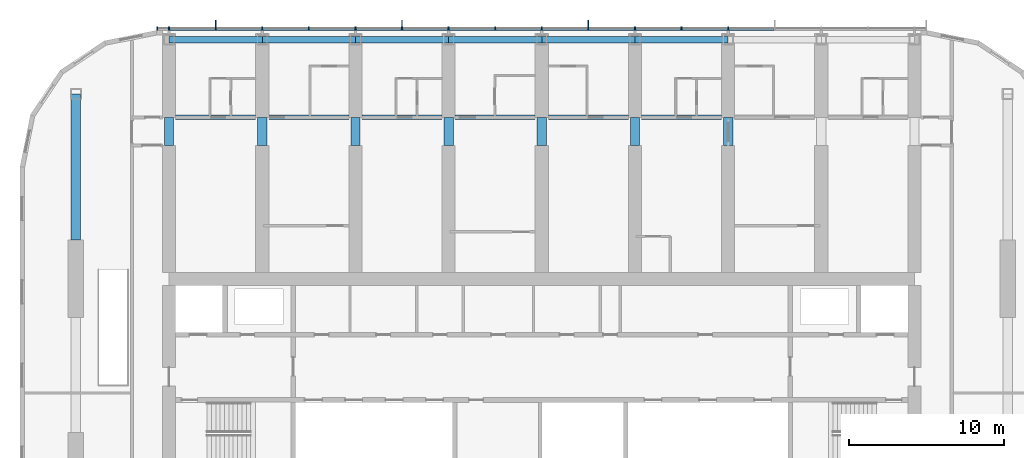
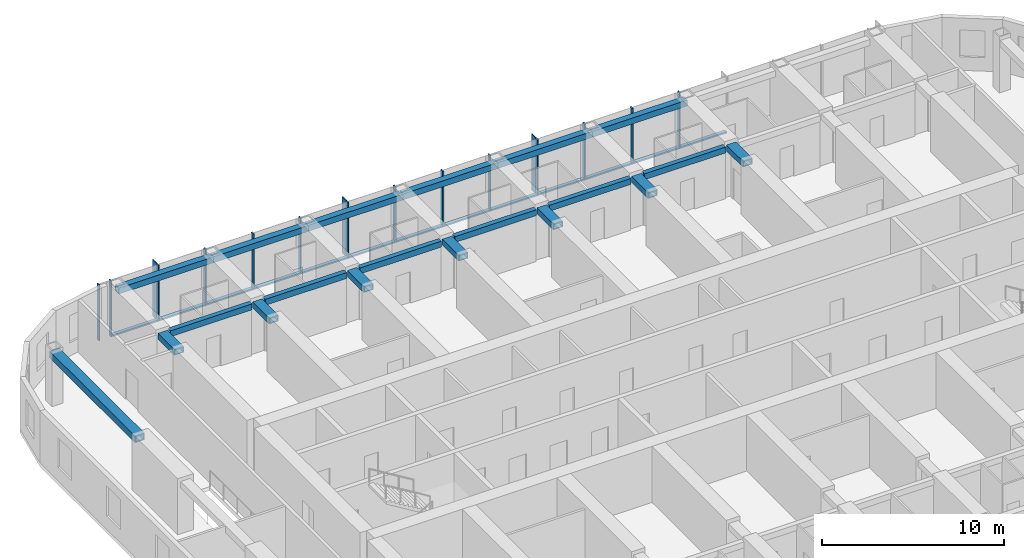
# One storey, part 4 of 22: 30 members, 20 beams, 1 element without a shape of its own.
"""IFC4 building model written with IfcOpenShell, lengths in metres."""

from ifc_helpers import new_model, si_unit, direction, frame, origin, origin_2d, place, context, subcontext, project, spatial, rectangle, hollow_rectangle, extrude, material, material_profile, profile_set, type_object, element, aggregate, save


model = new_model("IFC4")

# Units and contexts
model_context = context("Model", 3, precision=1e-05, world=origin(), true_north=direction((0.0, 1.0)))
body_context = subcontext(model_context, "Body", "Model", "MODEL_VIEW")
ifc_project = project(units=[si_unit("LENGTHUNIT", "METRE"), si_unit("AREAUNIT", "SQUARE_METRE"), si_unit("VOLUMEUNIT", "CUBIC_METRE"), si_unit("PLANEANGLEUNIT", "RADIAN"), si_unit("MASSUNIT", "GRAM", prefix="KILO")], contexts=[model_context])

# Site, building, storey
site_placement = place(None, origin())
site = spatial("IfcSite", under=ifc_project, at=site_placement, CompositionType="ELEMENT")
building_placement = place(site_placement, origin())
building = spatial("IfcBuilding", under=site, at=building_placement, Name="Orbita Commons", CompositionType="ELEMENT")
storey_placement = place(building_placement, frame((0.0, 0.0, 182.35009765625)))
storey = spatial("IfcBuildingStorey", under=building, at=storey_placement, Name="L45", CompositionType="ELEMENT", Elevation=182.35009765625)

# Curtain wall, members
ifc_material_1 = material(Name="Anodised aluminium frame, pale silver", Category="aluminium")
curtain_wall_type = type_object("IfcCurtainWallType", Name="Unitised curtain wall CW-U, full-height vision", PredefinedType="NOTDEFINED", material=ifc_material_1)
curtain_wall_placement = place(storey_placement, origin())
curtain_wall = element("IfcCurtainWall", 1, at=curtain_wall_placement, inside=storey, type_object=curtain_wall_type, Name="Curtain wall north L45", PredefinedType="NOTDEFINED")
ifc_material_2 = material(Name="Anodised aluminium, pale silver", Category="aluminium")
ifc_material_profile_1 = material_profile(ifc_material_2, rectangle(XDim=0.080078125, YDim=0.219970703125, at=origin_2d()), Name="AL 80x220")
ifc_profile_set_1 = profile_set([ifc_material_profile_1], Name="Anodised aluminium, pale silver")
member_type_1 = type_object("IfcMemberType", Name="Curtain wall mullion 80x220", PredefinedType="MULLION", material=ifc_profile_set_1)
member_1_placement = place(storey_placement, frame((54.0, 54.31005859375, -0.25), z_axis=(0.0, 0.0, 1.0), x_axis=(-1.0, 0.0, 0.0)))
member_1 = element("IfcMember", 2, at=member_1_placement, type_object=member_type_1, Name="Mullion 6 CW-L45-N", PredefinedType="MULLION", context=body_context, shape_type="SweptSolid", body=[
    extrude(rectangle(XDim=0.080078125, YDim=0.219970703125, at=origin_2d()), origin(), (0.0, 0.0, 1.0), 3.75),
])
member_2_placement = place(storey_placement, frame((51.0, 54.31005859375, -0.25), z_axis=(0.0, 0.0, 1.0), x_axis=(-1.0, 0.0, 0.0)))
member_2 = element("IfcMember", 3, at=member_2_placement, type_object=member_type_1, Name="Mullion 7 CW-L45-N", PredefinedType="MULLION", context=body_context, shape_type="SweptSolid", body=[
    extrude(rectangle(XDim=0.080078125, YDim=0.219970703125, at=origin_2d()), origin(), (0.0, 0.0, 1.0), 3.75),
])
member_3_placement = place(storey_placement, frame((48.0, 54.31005859375, -0.25), z_axis=(0.0, 0.0, 1.0), x_axis=(-1.0, 0.0, 0.0)))
member_3 = element("IfcMember", 4, at=member_3_placement, type_object=member_type_1, Name="Mullion 8 CW-L45-N", PredefinedType="MULLION", context=body_context, shape_type="SweptSolid", body=[
    extrude(rectangle(XDim=0.080078125, YDim=0.219970703125, at=origin_2d()), origin(), (0.0, 0.0, 1.0), 3.75),
])
member_4_placement = place(storey_placement, frame((45.0, 54.31005859375, -0.25), z_axis=(0.0, 0.0, 1.0), x_axis=(-1.0, 0.0, 0.0)))
member_4 = element("IfcMember", 5, at=member_4_placement, type_object=member_type_1, Name="Mullion 9 CW-L45-N", PredefinedType="MULLION", context=body_context, shape_type="SweptSolid", body=[
    extrude(rectangle(XDim=0.080078125, YDim=0.219970703125, at=origin_2d()), origin(), (0.0, 0.0, 1.0), 3.75),
])
member_5_placement = place(storey_placement, frame((42.0, 54.31005859375, -0.25), z_axis=(0.0, 0.0, 1.0), x_axis=(-1.0, 0.0, 0.0)))
member_5 = element("IfcMember", 6, at=member_5_placement, type_object=member_type_1, Name="Mullion 10 CW-L45-N", PredefinedType="MULLION", context=body_context, shape_type="SweptSolid", body=[
    extrude(rectangle(XDim=0.080078125, YDim=0.219970703125, at=origin_2d()), origin(), (0.0, 0.0, 1.0), 3.75),
])
member_6_placement = place(storey_placement, frame((39.0, 54.31005859375, -0.25), z_axis=(0.0, 0.0, 1.0), x_axis=(-1.0, 0.0, 0.0)))
member_6 = element("IfcMember", 7, at=member_6_placement, type_object=member_type_1, Name="Mullion 11 CW-L45-N", PredefinedType="MULLION", context=body_context, shape_type="SweptSolid", body=[
    extrude(rectangle(XDim=0.080078125, YDim=0.219970703125, at=origin_2d()), origin(), (0.0, 0.0, 1.0), 3.75),
])
member_7_placement = place(storey_placement, frame((36.0, 54.31005859375, -0.25), z_axis=(0.0, 0.0, 1.0), x_axis=(-1.0, 0.0, 0.0)))
member_7 = element("IfcMember", 8, at=member_7_placement, type_object=member_type_1, Name="Mullion 12 CW-L45-N", PredefinedType="MULLION", context=body_context, shape_type="SweptSolid", body=[
    extrude(rectangle(XDim=0.080078125, YDim=0.219970703125, at=origin_2d()), origin(), (0.0, 0.0, 1.0), 3.75),
])
member_8_placement = place(storey_placement, frame((33.0, 54.31005859375, -0.25), z_axis=(0.0, 0.0, 1.0), x_axis=(-1.0, 0.0, 0.0)))
member_8 = element("IfcMember", 9, at=member_8_placement, type_object=member_type_1, Name="Mullion 13 CW-L45-N", PredefinedType="MULLION", context=body_context, shape_type="SweptSolid", body=[
    extrude(rectangle(XDim=0.080078125, YDim=0.219970703125, at=origin_2d()), origin(), (0.0, 0.0, 1.0), 3.75),
])
member_9_placement = place(storey_placement, frame((30.0, 54.31005859375, -0.25), z_axis=(0.0, 0.0, 1.0), x_axis=(-1.0, 0.0, 0.0)))
member_9 = element("IfcMember", 10, at=member_9_placement, type_object=member_type_1, Name="Mullion 14 CW-L45-N", PredefinedType="MULLION", context=body_context, shape_type="SweptSolid", body=[
    extrude(rectangle(XDim=0.080078125, YDim=0.219970703125, at=origin_2d()), origin(), (0.0, 0.0, 1.0), 3.75),
])
member_10_placement = place(storey_placement, frame((27.0, 54.31005859375, -0.25), z_axis=(0.0, 0.0, 1.0), x_axis=(-1.0, 0.0, 0.0)))
member_10 = element("IfcMember", 11, at=member_10_placement, type_object=member_type_1, Name="Mullion 15 CW-L45-N", PredefinedType="MULLION", context=body_context, shape_type="SweptSolid", body=[
    extrude(rectangle(XDim=0.080078125, YDim=0.219970703125, at=origin_2d()), origin(), (0.0, 0.0, 1.0), 3.75),
])
member_11_placement = place(storey_placement, frame((24.0, 54.31005859375, -0.25), z_axis=(0.0, 0.0, 1.0), x_axis=(-1.0, 0.0, 0.0)))
member_11 = element("IfcMember", 12, at=member_11_placement, type_object=member_type_1, Name="Mullion 16 CW-L45-N", PredefinedType="MULLION", context=body_context, shape_type="SweptSolid", body=[
    extrude(rectangle(XDim=0.080078125, YDim=0.219970703125, at=origin_2d()), origin(), (0.0, 0.0, 1.0), 3.75),
])
member_12_placement = place(storey_placement, frame((21.0, 54.31005859375, -0.25), z_axis=(0.0, 0.0, 1.0), x_axis=(-1.0, 0.0, 0.0)))
member_12 = element("IfcMember", 13, at=member_12_placement, type_object=member_type_1, Name="Mullion 17 CW-L45-N", PredefinedType="MULLION", context=body_context, shape_type="SweptSolid", body=[
    extrude(rectangle(XDim=0.080078125, YDim=0.219970703125, at=origin_2d()), origin(), (0.0, 0.0, 1.0), 3.75),
])
member_13_placement = place(storey_placement, frame((18.0, 54.31005859375, -0.25), z_axis=(0.0, 0.0, 1.0), x_axis=(-1.0, 0.0, 0.0)))
member_13 = element("IfcMember", 14, at=member_13_placement, type_object=member_type_1, Name="Mullion 18 CW-L45-N", PredefinedType="MULLION", context=body_context, shape_type="SweptSolid", body=[
    extrude(rectangle(XDim=0.080078125, YDim=0.219970703125, at=origin_2d()), origin(), (0.0, 0.0, 1.0), 3.75),
])
member_14_placement = place(storey_placement, frame((17.239990234375, 54.31005859375, -0.25), z_axis=(0.0, 0.0, 1.0), x_axis=(-1.0, 0.0, 0.0)))
member_14 = element("IfcMember", 15, at=member_14_placement, type_object=member_type_1, Name="Mullion 19 CW-L45-N", PredefinedType="MULLION", context=body_context, shape_type="SweptSolid", body=[
    extrude(rectangle(XDim=0.080078125, YDim=0.219970703125, at=origin_2d()), origin(), (0.0, 0.0, 1.0), 3.75),
])
ifc_material_3 = material(Name="Anodised aluminium, pale silver", Category="aluminium")
ifc_material_profile_2 = material_profile(ifc_material_3, rectangle(XDim=0.219970703125, YDim=0.10009765625, at=origin_2d()), Name="AL 220x100")
ifc_profile_set_2 = profile_set([ifc_material_profile_2], Name="Anodised aluminium, pale silver")
member_type_2 = type_object("IfcMemberType", Name="Curtain wall stack transom 220x100", PredefinedType="USERDEFINED", material=ifc_profile_set_2)
member_15_placement = place(storey_placement, frame((56.9599609375, 54.31005859375, -0.2001953125), z_axis=(-1.0, 0.0, 0.0), x_axis=(0.0, -1.0, 0.0)))
member_15 = element("IfcMember", 16, at=member_15_placement, type_object=member_type_2, Name="Transom 5.1 CW-L45-N", ObjectType="TRANSOM", PredefinedType="USERDEFINED", context=body_context, shape_type="SweptSolid", body=[
    extrude(rectangle(XDim=0.219970703125, YDim=0.10009765625, at=origin_2d()), origin(), (0.0, 0.0, 1.0), 2.919921875),
])
member_16_placement = place(storey_placement, frame((53.9599609375, 54.31005859375, -0.2001953125), z_axis=(-1.0, 0.0, 0.0), x_axis=(0.0, -1.0, 0.0)))
member_16 = element("IfcMember", 17, at=member_16_placement, type_object=member_type_2, Name="Transom 6.1 CW-L45-N", ObjectType="TRANSOM", PredefinedType="USERDEFINED", context=body_context, shape_type="SweptSolid", body=[
    extrude(rectangle(XDim=0.219970703125, YDim=0.10009765625, at=origin_2d()), origin(), (0.0, 0.0, 1.0), 2.919921875),
])
member_17_placement = place(storey_placement, frame((50.9599609375, 54.31005859375, -0.2001953125), z_axis=(-1.0, 0.0, 0.0), x_axis=(0.0, -1.0, 0.0)))
member_17 = element("IfcMember", 18, at=member_17_placement, type_object=member_type_2, Name="Transom 7.1 CW-L45-N", ObjectType="TRANSOM", PredefinedType="USERDEFINED", context=body_context, shape_type="SweptSolid", body=[
    extrude(rectangle(XDim=0.219970703125, YDim=0.10009765625, at=origin_2d()), origin(), (0.0, 0.0, 1.0), 2.919921875),
])
member_18_placement = place(storey_placement, frame((47.9599609375, 54.31005859375, -0.2001953125), z_axis=(-1.0, 0.0, 0.0), x_axis=(0.0, -1.0, 0.0)))
member_18 = element("IfcMember", 19, at=member_18_placement, type_object=member_type_2, Name="Transom 8.1 CW-L45-N", ObjectType="TRANSOM", PredefinedType="USERDEFINED", context=body_context, shape_type="SweptSolid", body=[
    extrude(rectangle(XDim=0.219970703125, YDim=0.10009765625, at=origin_2d()), origin(), (0.0, 0.0, 1.0), 2.919921875),
])
member_19_placement = place(storey_placement, frame((44.9599609375, 54.31005859375, -0.2001953125), z_axis=(-1.0, 0.0, 0.0), x_axis=(0.0, -1.0, 0.0)))
member_19 = element("IfcMember", 20, at=member_19_placement, type_object=member_type_2, Name="Transom 9.1 CW-L45-N", ObjectType="TRANSOM", PredefinedType="USERDEFINED", context=body_context, shape_type="SweptSolid", body=[
    extrude(rectangle(XDim=0.219970703125, YDim=0.10009765625, at=origin_2d()), origin(), (0.0, 0.0, 1.0), 2.919921875),
])
member_20_placement = place(storey_placement, frame((41.9599609375, 54.31005859375, -0.2001953125), z_axis=(-1.0, 0.0, 0.0), x_axis=(0.0, -1.0, 0.0)))
member_20 = element("IfcMember", 21, at=member_20_placement, type_object=member_type_2, Name="Transom 10.1 CW-L45-N", ObjectType="TRANSOM", PredefinedType="USERDEFINED", context=body_context, shape_type="SweptSolid", body=[
    extrude(rectangle(XDim=0.219970703125, YDim=0.10009765625, at=origin_2d()), origin(), (0.0, 0.0, 1.0), 2.919921875),
])
member_21_placement = place(storey_placement, frame((38.9599609375, 54.31005859375, -0.2001953125), z_axis=(-1.0, 0.0, 0.0), x_axis=(0.0, -1.0, 0.0)))
member_21 = element("IfcMember", 22, at=member_21_placement, type_object=member_type_2, Name="Transom 11.1 CW-L45-N", ObjectType="TRANSOM", PredefinedType="USERDEFINED", context=body_context, shape_type="SweptSolid", body=[
    extrude(rectangle(XDim=0.219970703125, YDim=0.10009765625, at=origin_2d()), origin(), (0.0, 0.0, 1.0), 2.919921875),
])
member_22_placement = place(storey_placement, frame((35.9599609375, 54.31005859375, -0.2001953125), z_axis=(-1.0, 0.0, 0.0), x_axis=(0.0, -1.0, 0.0)))
member_22 = element("IfcMember", 23, at=member_22_placement, type_object=member_type_2, Name="Transom 12.1 CW-L45-N", ObjectType="TRANSOM", PredefinedType="USERDEFINED", context=body_context, shape_type="SweptSolid", body=[
    extrude(rectangle(XDim=0.219970703125, YDim=0.10009765625, at=origin_2d()), origin(), (0.0, 0.0, 1.0), 2.919921875),
])
member_23_placement = place(storey_placement, frame((32.9599609375, 54.31005859375, -0.2001953125), z_axis=(-1.0, 0.0, 0.0), x_axis=(0.0, -1.0, 0.0)))
member_23 = element("IfcMember", 24, at=member_23_placement, type_object=member_type_2, Name="Transom 13.1 CW-L45-N", ObjectType="TRANSOM", PredefinedType="USERDEFINED", context=body_context, shape_type="SweptSolid", body=[
    extrude(rectangle(XDim=0.219970703125, YDim=0.10009765625, at=origin_2d()), origin(), (0.0, 0.0, 1.0), 2.919921875),
])
member_24_placement = place(storey_placement, frame((29.9599609375, 54.31005859375, -0.2001953125), z_axis=(-1.0, 0.0, 0.0), x_axis=(0.0, -1.0, 0.0)))
member_24 = element("IfcMember", 25, at=member_24_placement, type_object=member_type_2, Name="Transom 14.1 CW-L45-N", ObjectType="TRANSOM", PredefinedType="USERDEFINED", context=body_context, shape_type="SweptSolid", body=[
    extrude(rectangle(XDim=0.219970703125, YDim=0.10009765625, at=origin_2d()), origin(), (0.0, 0.0, 1.0), 2.919921875),
])
member_25_placement = place(storey_placement, frame((26.9599609375, 54.31005859375, -0.2001953125), z_axis=(-1.0, 0.0, 0.0), x_axis=(0.0, -1.0, 0.0)))
member_25 = element("IfcMember", 26, at=member_25_placement, type_object=member_type_2, Name="Transom 15.1 CW-L45-N", ObjectType="TRANSOM", PredefinedType="USERDEFINED", context=body_context, shape_type="SweptSolid", body=[
    extrude(rectangle(XDim=0.219970703125, YDim=0.10009765625, at=origin_2d()), origin(), (0.0, 0.0, 1.0), 2.919921875),
])
member_26_placement = place(storey_placement, frame((23.9599609375, 54.31005859375, -0.2001953125), z_axis=(-1.0, 0.0, 0.0), x_axis=(0.0, -1.0, 0.0)))
member_26 = element("IfcMember", 27, at=member_26_placement, type_object=member_type_2, Name="Transom 16.1 CW-L45-N", ObjectType="TRANSOM", PredefinedType="USERDEFINED", context=body_context, shape_type="SweptSolid", body=[
    extrude(rectangle(XDim=0.219970703125, YDim=0.10009765625, at=origin_2d()), origin(), (0.0, 0.0, 1.0), 2.919921875),
])
member_27_placement = place(storey_placement, frame((20.9599609375, 54.31005859375, -0.2001953125), z_axis=(-1.0, 0.0, 0.0), x_axis=(0.0, -1.0, 0.0)))
member_27 = element("IfcMember", 28, at=member_27_placement, type_object=member_type_2, Name="Transom 17.1 CW-L45-N", ObjectType="TRANSOM", PredefinedType="USERDEFINED", context=body_context, shape_type="SweptSolid", body=[
    extrude(rectangle(XDim=0.219970703125, YDim=0.10009765625, at=origin_2d()), origin(), (0.0, 0.0, 1.0), 2.919921875),
])

# Beams
ifc_material_4 = material(Name="Steel ASTM A572 Gr 50 welded plate", Category="steel")
ifc_material_profile_3 = material_profile(ifc_material_4, hollow_rectangle(XDim=0.300048828125, YDim=0.39990234375, WallThickness=0.0400390625, at=origin_2d()), Name="BOX 400x300x40")
ifc_profile_set_3 = profile_set([ifc_material_profile_3], Name="Steel ASTM A572 Gr 50 welded plate")
beam_type_1 = type_object("IfcBeamType", Name="Steel corridor link BOX 400x300x40", PredefinedType="BEAM", material=ifc_profile_set_3)
for number, where, z_axis, x_axis, name in (
    (29, (18.425048828125, 48.60009765625, 3.2998046875), (1.0, 0.0, 0.0), (0.0, 1.0, 0.0), "Corridor beam NB 4-5 L45"),
    (30, (24.425048828125, 48.60009765625, 3.2998046875), (1.0, 0.0, 0.0), (0.0, 1.0, 0.0), "Corridor beam NB 5-6 L45"),
    (31, (30.425048828125, 48.60009765625, 3.2998046875), (1.0, 0.0, 0.0), (0.0, 1.0, 0.0), "Corridor beam NB 6-7 L45"),
    (32, (36.425048828125, 48.60009765625, 3.2998046875), (1.0, 0.0, 0.0), (0.0, 1.0, 0.0), "Corridor beam NB 7-8 L45"),
    (33, (42.425048828125, 48.60009765625, 3.2998046875), (1.0, 0.0, 0.0), (0.0, 1.0, 0.0), "Corridor beam NB 8-9 L45"),
    (34, (48.425048828125, 48.60009765625, 3.2998046875), (1.0, 0.0, 0.0), (0.0, 1.0, 0.0), "Corridor beam NB 9-10 L45"),
):
    element("IfcBeam", number, at=place(storey_placement, frame(where, z_axis=z_axis, x_axis=x_axis)), inside=storey, type_object=beam_type_1, Name=name, PredefinedType="BEAM", context=body_context, shape_type="SweptSolid", body=[
        extrude(hollow_rectangle(XDim=0.300048828125, YDim=0.39990234375, WallThickness=0.0400390625, at=origin_2d()), origin(), (0.0, 0.0, 1.0), 5.14990234375),
    ])
ifc_material_5 = material(Name="Steel ASTM A572 Gr 50 welded plate", Category="steel")
ifc_material_profile_4 = material_profile(ifc_material_5, hollow_rectangle(XDim=0.60009765625, YDim=0.39990234375, WallThickness=0.050048828125, at=origin_2d()), Name="BOX 400x600x50")
ifc_profile_set_4 = profile_set([ifc_material_profile_4], Name="Steel ASTM A572 Gr 50 welded plate")
beam_type_2 = type_object("IfcBeamType", Name="Steel coupling link BOX 400x600x50", PredefinedType="LINTEL", material=ifc_profile_set_4)
for number, where, z_axis, x_axis, name in (
    (35, (18.0, 46.800048828125, 3.2998046875), (0.0, 1.0, 0.0), (-1.0, 0.0, 0.0), "Coupling beam 4 north L45"),
    (36, (24.0, 46.800048828125, 3.2998046875), (0.0, 1.0, 0.0), (-1.0, 0.0, 0.0), "Coupling beam 5 north L45"),
    (37, (30.0, 46.800048828125, 3.2998046875), (0.0, 1.0, 0.0), (-1.0, 0.0, 0.0), "Coupling beam 6 north L45"),
    (38, (36.0, 46.800048828125, 3.2998046875), (0.0, 1.0, 0.0), (-1.0, 0.0, 0.0), "Coupling beam 7 north L45"),
    (39, (42.0, 46.800048828125, 3.2998046875), (0.0, 1.0, 0.0), (-1.0, 0.0, 0.0), "Coupling beam 8 north L45"),
    (40, (48.0, 46.800048828125, 3.2998046875), (0.0, 1.0, 0.0), (-1.0, 0.0, 0.0), "Coupling beam 9 north L45"),
    (41, (54.0, 46.800048828125, 3.2998046875), (0.0, 1.0, 0.0), (-1.0, 0.0, 0.0), "Coupling beam 10 north L45"),
):
    element("IfcBeam", number, at=place(storey_placement, frame(where, z_axis=z_axis, x_axis=x_axis)), inside=storey, type_object=beam_type_2, Name=name, PredefinedType="LINTEL", context=body_context, shape_type="SweptSolid", body=[
        extrude(hollow_rectangle(XDim=0.60009765625, YDim=0.39990234375, WallThickness=0.050048828125, at=origin_2d()), origin(), (0.0, 0.0, 1.0), 1.800048828125),
    ])
ifc_material_6 = material(Name="Steel ASTM A572 Gr 50 welded plate", Category="steel")
ifc_material_profile_5 = material_profile(ifc_material_6, hollow_rectangle(XDim=0.60009765625, YDim=0.449951171875, WallThickness=0.06005859375, at=origin_2d()), Name="BOX 450x600x60")
ifc_profile_set_5 = profile_set([ifc_material_profile_5], Name="Steel ASTM A572 Gr 50 welded plate")
beam_type_3 = type_object("IfcBeamType", Name="Steel end frame link BOX 450x600x60", PredefinedType="BEAM", material=ifc_profile_set_5)
beam_placement = place(storey_placement, frame((12.0, 40.699951171875, 3.27490234375), z_axis=(0.0, 1.0, 0.0), x_axis=(-1.0, 0.0, 0.0)))
element("IfcBeam", 42, at=beam_placement, inside=storey, type_object=beam_type_3, Name="End frame beam 3 D-E L45", PredefinedType="BEAM", context=body_context, shape_type="SweptSolid", body=[
    extrude(hollow_rectangle(XDim=0.60009765625, YDim=0.449951171875, WallThickness=0.06005859375, at=origin_2d()), origin(), (0.0, 0.0, 1.0), 9.400146484375),
])
ifc_material_7 = material(Name="Steel ASTM A572 Gr 50 welded plate", Category="steel")
ifc_material_profile_6 = material_profile(ifc_material_7, hollow_rectangle(XDim=0.39990234375, YDim=0.39990234375, WallThickness=0.0400390625, at=origin_2d()), Name="BOX 400x400x40")
ifc_profile_set_6 = profile_set([ifc_material_profile_6], Name="Steel ASTM A572 Gr 50 welded plate")
beam_type_4 = type_object("IfcBeamType", Name="Steel spandrel BOX 400x400x40", PredefinedType="SPANDREL", material=ifc_profile_set_6)
for number, where, z_axis, x_axis, name in (
    (43, (18.0, 53.60009765625, 3.2998046875), (1.0, 0.0, 0.0), (0.0, 1.0, 0.0), "Spandrel beam E 4-5 L45"),
    (44, (24.0, 53.60009765625, 3.2998046875), (1.0, 0.0, 0.0), (0.0, 1.0, 0.0), "Spandrel beam E 5-6 L45"),
    (45, (30.0, 53.60009765625, 3.2998046875), (1.0, 0.0, 0.0), (0.0, 1.0, 0.0), "Spandrel beam E 6-7 L45"),
    (46, (36.0, 53.60009765625, 3.2998046875), (1.0, 0.0, 0.0), (0.0, 1.0, 0.0), "Spandrel beam E 7-8 L45"),
    (47, (42.0, 53.60009765625, 3.2998046875), (1.0, 0.0, 0.0), (0.0, 1.0, 0.0), "Spandrel beam E 8-9 L45"),
    (48, (48.0, 53.60009765625, 3.2998046875), (1.0, 0.0, 0.0), (0.0, 1.0, 0.0), "Spandrel beam E 9-10 L45"),
):
    element("IfcBeam", number, at=place(storey_placement, frame(where, z_axis=z_axis, x_axis=x_axis)), inside=storey, type_object=beam_type_4, Name=name, PredefinedType="SPANDREL", context=body_context, shape_type="SweptSolid", body=[
        extrude(hollow_rectangle(XDim=0.39990234375, YDim=0.39990234375, WallThickness=0.0400390625, at=origin_2d()), origin(), (0.0, 0.0, 1.0), 6.0),
    ])

# Member
ifc_material_8 = material(Name="Anodised aluminium, pale silver", Category="aluminium")
ifc_material_profile_7 = material_profile(ifc_material_8, rectangle(XDim=0.06005859375, YDim=0.449951171875, at=origin_2d()), Name="FIN 60x450")
ifc_profile_set_7 = profile_set([ifc_material_profile_7], Name="Anodised aluminium, pale silver")
member_type_3 = type_object("IfcMemberType", Name="Vertical fin 60x450 pale aluminium", PredefinedType="USERDEFINED", material=ifc_profile_set_7)
member_28_placement = place(storey_placement, frame((45.0, 54.64501953125, -0.25), z_axis=(0.0, 0.0, 1.0), x_axis=(-1.0, 0.0, 0.0)))
member_28 = element("IfcMember", 49, at=member_28_placement, type_object=member_type_3, Name="Fin 9 CW-L45-N", ObjectType="FIN", PredefinedType="USERDEFINED", context=body_context, shape_type="SweptSolid", body=[
    extrude(rectangle(XDim=0.06005859375, YDim=0.449951171875, at=origin_2d()), origin(), (0.0, 0.0, 1.0), 3.75),
])

member_29_placement = place(storey_placement, frame((33.0, 54.64501953125, -0.25), z_axis=(0.0, 0.0, 1.0), x_axis=(-1.0, 0.0, 0.0)))
member_29 = element("IfcMember", 50, at=member_29_placement, type_object=member_type_3, Name="Fin 13 CW-L45-N", ObjectType="FIN", PredefinedType="USERDEFINED", context=body_context, shape_type="SweptSolid", body=[
    extrude(rectangle(XDim=0.06005859375, YDim=0.449951171875, at=origin_2d()), origin(), (0.0, 0.0, 1.0), 3.75),
])

member_30_placement = place(storey_placement, frame((21.0, 54.64501953125, -0.25), z_axis=(0.0, 0.0, 1.0), x_axis=(-1.0, 0.0, 0.0)))
member_30 = element("IfcMember", 51, at=member_30_placement, type_object=member_type_3, Name="Fin 17 CW-L45-N", ObjectType="FIN", PredefinedType="USERDEFINED", context=body_context, shape_type="SweptSolid", body=[
    extrude(rectangle(XDim=0.06005859375, YDim=0.449951171875, at=origin_2d()), origin(), (0.0, 0.0, 1.0), 3.75),
])

aggregate(curtain_wall, [member_1, member_2, member_3, member_4, member_28, member_5, member_6, member_7, member_8, member_29, member_9, member_10, member_11, member_12, member_30, member_13, member_14, member_15, member_16, member_17, member_18, member_19, member_20, member_21, member_22, member_23, member_24, member_25, member_26, member_27])

save(model, "model.ifc")
